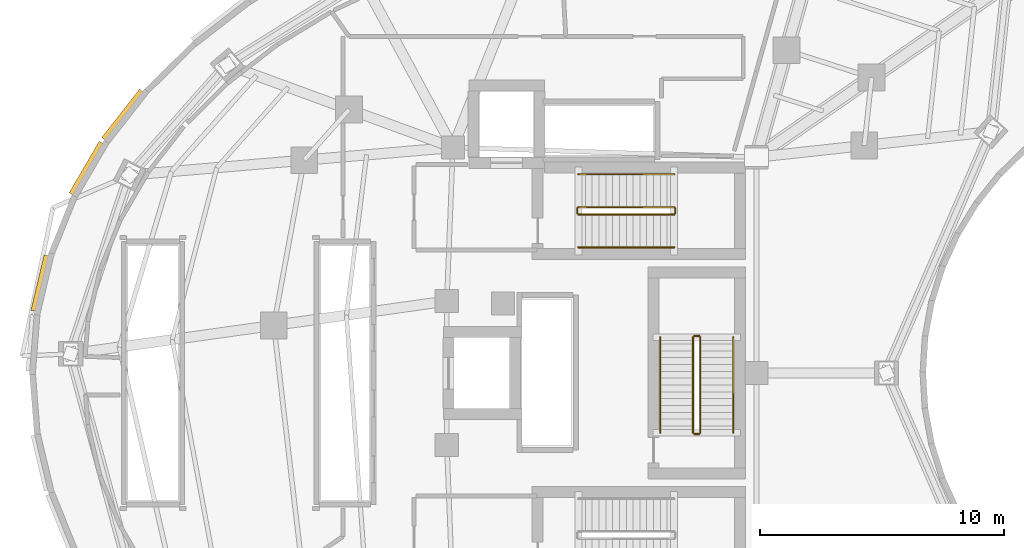
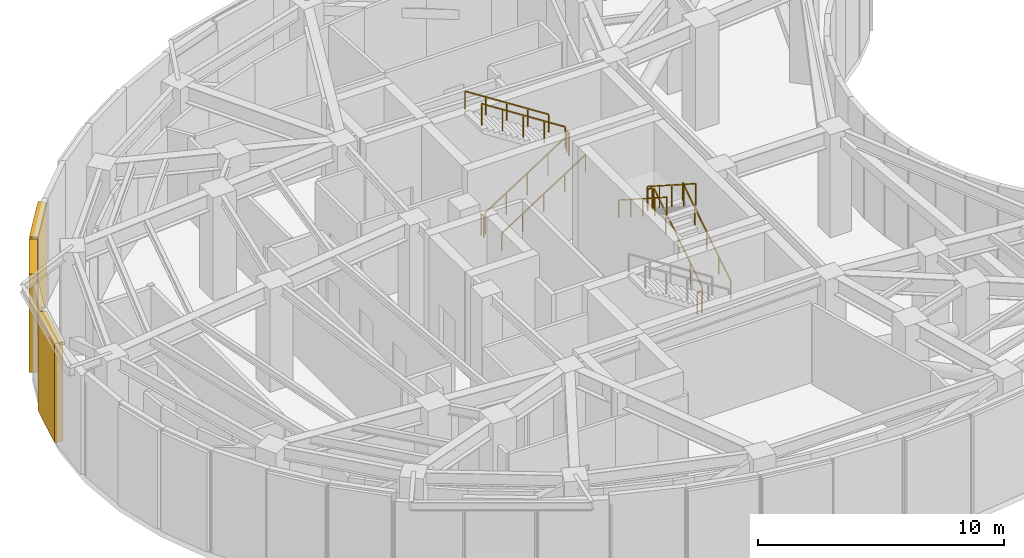
# One storey, part 9 of 10: 12 railings, 3 shading devices.
"""IFC4 building model written with IfcOpenShell, lengths in metres."""

from ifc_helpers import new_model, si_unit, direction, frame, origin, origin_2d, place, context, subcontext, project, spatial, rectangle, extrude, material, layer, layer_set, type_object, element, save


model = new_model("IFC4")

# Units and contexts
model_context = context("Model", 3, precision=1e-05, world=origin(), true_north=direction((0.0, 1.0)))
body_context = subcontext(model_context, "Body", "Model", "MODEL_VIEW")
ifc_project = project(units=[si_unit("LENGTHUNIT", "METRE"), si_unit("AREAUNIT", "SQUARE_METRE"), si_unit("VOLUMEUNIT", "CUBIC_METRE"), si_unit("PLANEANGLEUNIT", "RADIAN"), si_unit("MASSUNIT", "GRAM", prefix="KILO")], contexts=[model_context])

# Site, building, storey
site_placement = place(None, origin())
site = spatial("IfcSite", under=ifc_project, at=site_placement, CompositionType="ELEMENT")
building_placement = place(site_placement, origin())
building = spatial("IfcBuilding", under=site, at=building_placement, Name="Korentha Bioscience Tower", CompositionType="ELEMENT")
storey_placement = place(building_placement, frame((0.0, 0.0, 148.800048828125)))
storey = spatial("IfcBuildingStorey", under=building, at=storey_placement, Name="L34", CompositionType="ELEMENT", Elevation=148.800048828125)

# Shading devices
ifc_material_1 = material(Name="Powder-Coated Aluminium Louvre", Category="aluminium")
ifc_layer = layer(ifc_material_1, 0.1201171875, Name="Powder-Coated Aluminium Louvre")
ifc_layer_set = layer_set([ifc_layer], Name="Powder-Coated Aluminium Louvre (LV-350)")
shading_device_type = type_object("IfcShadingDeviceType", Name="Acoustic Weatherproof Aluminium Plant Louvre 350", PredefinedType="USERDEFINED", material=ifc_layer_set)
shading_device_1_placement = place(storey_placement, frame((11.6083984375, 37.543212890625, 0.10009765625), z_axis=(0.0, 0.0, 1.0), x_axis=(-0.615896321868, -0.787827215009, 0.0)))
element("IfcShadingDevice", 1, at=shading_device_1_placement, inside=storey, type_object=shading_device_type, Name="L34 Acoustic Plant Louvre 14", ObjectType="LOUVRE", PredefinedType="USERDEFINED", context=body_context, shape_type="SweptSolid", body=[
    extrude(rectangle(XDim=2.524169921875, YDim=0.35009765625, at=origin_2d()), origin(), (0.0, 0.0, 1.0), 4.89990234375),
])
shading_device_2_placement = place(storey_placement, frame((10.127685546875, 35.3623046875, 0.10009765625), z_axis=(0.0, 0.0, 1.0), x_axis=(-0.503181296595, -0.864180873867, 0.0)))
element("IfcShadingDevice", 2, at=shading_device_2_placement, inside=storey, type_object=shading_device_type, Name="L34 Acoustic Plant Louvre 15", ObjectType="LOUVRE", PredefinedType="USERDEFINED", context=body_context, shape_type="SweptSolid", body=[
    extrude(rectangle(XDim=2.44580078125, YDim=0.35009765625, at=origin_2d()), origin(), (0.0, 0.0, 1.0), 4.89990234375),
])
shading_device_3_placement = place(storey_placement, frame((8.236083984375, 30.671630859375, 0.10009765625), z_axis=(0.0, 0.0, 1.0), x_axis=(-0.2308309781, -0.972993864086, 0.0)))
element("IfcShadingDevice", 3, at=shading_device_3_placement, inside=storey, type_object=shading_device_type, Name="L34 Acoustic Plant Louvre 17", ObjectType="LOUVRE", PredefinedType="USERDEFINED", context=body_context, shape_type="SweptSolid", body=[
    extrude(rectangle(XDim=2.33447265625, YDim=0.35009765625, at=origin_2d()), origin(), (0.0, 0.0, 1.0), 4.89990234375),
])

# Railings
ifc_material_2 = material(Name="Stainless Steel 304", Category="steel")
railing_type_1 = type_object("IfcRailingType", Name="Brushed Stainless Stair Handrail 900", PredefinedType="HANDRAIL", material=ifc_material_2)
railing_1_placement = place(storey_placement, frame((30.25, 32.14990234375, 0.179931640625)))
element("IfcRailing", 4, at=railing_1_placement, inside=storey, type_object=railing_type_1, Name="L34 ST-1 stair handrail 1", PredefinedType="HANDRAIL", context=body_context, shape_type="SweptSolid", body=[
    extrude(rectangle(XDim=0.048095703125, YDim=0.048095703125, at=origin_2d()), frame((0.0, 0.0, 0.8759765625), z_axis=(0.841171666519, 0.0, 0.540768182723), x_axis=(0.0, 1.0, 0.0)), (0.0, 0.0, 1.0), 4.66015625),
    extrude(rectangle(XDim=0.0419921875, YDim=0.0419921875, at=origin_2d()), origin(), (0.0, 0.0, 1.0), 0.851806640625),
    extrude(rectangle(XDim=0.0419921875, YDim=0.0419921875, at=origin_2d()), frame((0.97998046875, 0.0, 0.6298828125)), (0.0, 0.0, 1.0), 0.851806640625),
    extrude(rectangle(XDim=0.0419921875, YDim=0.0419921875, at=origin_2d()), frame((1.9599609375, 0.0, 1.260009765625)), (0.0, 0.0, 1.0), 0.851806640625),
    extrude(rectangle(XDim=0.0419921875, YDim=0.0419921875, at=origin_2d()), frame((2.93994140625, 0.0, 1.89013671875)), (0.0, 0.0, 1.0), 0.851806640625),
    extrude(rectangle(XDim=0.0419921875, YDim=0.0419921875, at=origin_2d()), frame((3.919921875, 0.0, 2.52001953125)), (0.0, 0.0, 1.0), 0.851806640625),
])
railing_2_placement = place(storey_placement, frame((34.169921875, 35.14990234375, 2.8798828125)))
element("IfcRailing", 5, at=railing_2_placement, inside=storey, type_object=railing_type_1, Name="L34 ST-1 stair handrail 2", PredefinedType="HANDRAIL", context=body_context, shape_type="SweptSolid", body=[
    extrude(rectangle(XDim=0.048095703125, YDim=0.048095703125, at=origin_2d()), frame((0.0, 0.0, 0.8759765625), z_axis=(-0.841171666519, 0.0, 0.540768182723), x_axis=(0.0, -1.0, 0.0)), (0.0, 0.0, 1.0), 4.66015625),
    extrude(rectangle(XDim=0.0419921875, YDim=0.0419921875, at=origin_2d()), origin(), (0.0, 0.0, 1.0), 0.851806640625),
    extrude(rectangle(XDim=0.0419921875, YDim=0.0419921875, at=origin_2d()), frame((-0.97998046875, 0.0, 0.6298828125)), (0.0, 0.0, 1.0), 0.851806640625),
    extrude(rectangle(XDim=0.0419921875, YDim=0.0419921875, at=origin_2d()), frame((-1.9599609375, 0.0, 1.260009765625)), (0.0, 0.0, 1.0), 0.851806640625),
    extrude(rectangle(XDim=0.0419921875, YDim=0.0419921875, at=origin_2d()), frame((-2.93994140625, 0.0, 1.89013671875)), (0.0, 0.0, 1.0), 0.851806640625),
    extrude(rectangle(XDim=0.0419921875, YDim=0.0419921875, at=origin_2d()), frame((-3.919921875, 0.0, 2.52001953125)), (0.0, 0.0, 1.0), 0.851806640625),
])
railing_3_placement = place(storey_placement, frame((36.60009765625, 24.550048828125, 0.179931640625)))
element("IfcRailing", 6, at=railing_3_placement, inside=storey, type_object=railing_type_1, Name="L34 ST-3 stair handrail 1", PredefinedType="HANDRAIL", context=body_context, shape_type="SweptSolid", body=[
    extrude(rectangle(XDim=0.048095703125, YDim=0.048095703125, at=origin_2d()), frame((0.0, 0.0, 0.8759765625), z_axis=(0.0, 0.841171666519, 0.540768182723), x_axis=(-1.0, 0.0, 0.0)), (0.0, 0.0, 1.0), 4.66015625),
    extrude(rectangle(XDim=0.0419921875, YDim=0.0419921875, at=origin_2d()), origin(), (0.0, 0.0, 1.0), 0.851806640625),
    extrude(rectangle(XDim=0.0419921875, YDim=0.0419921875, at=origin_2d()), frame((0.0, 0.97998046875, 0.6298828125)), (0.0, 0.0, 1.0), 0.851806640625),
    extrude(rectangle(XDim=0.0419921875, YDim=0.0419921875, at=origin_2d()), frame((0.0, 1.9599609375, 1.260009765625)), (0.0, 0.0, 1.0), 0.851806640625),
    extrude(rectangle(XDim=0.0419921875, YDim=0.0419921875, at=origin_2d()), frame((0.0, 2.93994140625, 1.89013671875)), (0.0, 0.0, 1.0), 0.851806640625),
    extrude(rectangle(XDim=0.0419921875, YDim=0.0419921875, at=origin_2d()), frame((0.0, 3.919921875, 2.52001953125)), (0.0, 0.0, 1.0), 0.851806640625),
])
railing_4_placement = place(storey_placement, frame((33.60009765625, 28.469970703125, 2.8798828125)))
element("IfcRailing", 7, at=railing_4_placement, inside=storey, type_object=railing_type_1, Name="L34 ST-3 stair handrail 2", PredefinedType="HANDRAIL", context=body_context, shape_type="SweptSolid", body=[
    extrude(rectangle(XDim=0.048095703125, YDim=0.048095703125, at=origin_2d()), frame((0.0, 0.0, 0.8759765625), z_axis=(0.0, -0.841171666519, 0.540768182723), x_axis=(1.0, 0.0, 0.0)), (0.0, 0.0, 1.0), 4.66015625),
    extrude(rectangle(XDim=0.0419921875, YDim=0.0419921875, at=origin_2d()), origin(), (0.0, 0.0, 1.0), 0.851806640625),
    extrude(rectangle(XDim=0.0419921875, YDim=0.0419921875, at=origin_2d()), frame((0.0, -0.97998046875, 0.6298828125)), (0.0, 0.0, 1.0), 0.851806640625),
    extrude(rectangle(XDim=0.0419921875, YDim=0.0419921875, at=origin_2d()), frame((0.0, -1.9599609375, 1.260009765625)), (0.0, 0.0, 1.0), 0.851806640625),
    extrude(rectangle(XDim=0.0419921875, YDim=0.0419921875, at=origin_2d()), frame((0.0, -2.93994140625, 1.89013671875)), (0.0, 0.0, 1.0), 0.851806640625),
    extrude(rectangle(XDim=0.0419921875, YDim=0.0419921875, at=origin_2d()), frame((0.0, -3.919921875, 2.52001953125)), (0.0, 0.0, 1.0), 0.851806640625),
])
ifc_material_3 = material(Name="Painted Steel S275", Category="steel")
railing_type_2 = type_object("IfcRailingType", Name="Painted Steel Stair Well Guardrail 1100", PredefinedType="GUARDRAIL", material=ifc_material_3)
railing_5_placement = place(storey_placement, frame((30.25, 33.5, 0.179931640625)))
element("IfcRailing", 8, at=railing_5_placement, inside=storey, type_object=railing_type_2, Name="L34 ST-1 stair guard 1", PredefinedType="GUARDRAIL", context=body_context, shape_type="SweptSolid", body=[
    extrude(rectangle(XDim=0.048095703125, YDim=0.048095703125, at=origin_2d()), frame((0.0, 0.0, 1.076171875), z_axis=(0.841171666519, 0.0, 0.540768182723), x_axis=(0.0, 1.0, 0.0)), (0.0, 0.0, 1.0), 4.66015625),
    extrude(rectangle(XDim=0.0419921875, YDim=0.0419921875, at=origin_2d()), origin(), (0.0, 0.0, 1.0), 1.052001953125),
    extrude(rectangle(XDim=0.0419921875, YDim=0.0419921875, at=origin_2d()), frame((0.97998046875, 0.0, 0.6298828125)), (0.0, 0.0, 1.0), 1.052001953125),
    extrude(rectangle(XDim=0.0419921875, YDim=0.0419921875, at=origin_2d()), frame((1.9599609375, 0.0, 1.260009765625)), (0.0, 0.0, 1.0), 1.052001953125),
    extrude(rectangle(XDim=0.0419921875, YDim=0.0419921875, at=origin_2d()), frame((2.93994140625, 0.0, 1.89013671875)), (0.0, 0.0, 1.0), 1.052001953125),
    extrude(rectangle(XDim=0.0419921875, YDim=0.0419921875, at=origin_2d()), frame((3.919921875, 0.0, 2.52001953125)), (0.0, 0.0, 1.0), 1.052001953125),
])
railing_6_placement = place(storey_placement, frame((34.219970703125, 33.550048828125, 2.699951171875)))
element("IfcRailing", 9, at=railing_6_placement, inside=storey, type_object=railing_type_2, Name="L34 ST-1 stair guard 2", PredefinedType="GUARDRAIL", context=body_context, shape_type="SweptSolid", body=[
    extrude(rectangle(XDim=0.048095703125, YDim=0.048095703125, at=origin_2d()), frame((0.0, 0.0, 1.076171875), z_axis=(0.0, 1.0, 0.0), x_axis=(-1.0, 0.0, 0.0)), (0.0, 0.0, 1.0), 0.199951171875),
    extrude(rectangle(XDim=0.0419921875, YDim=0.0419921875, at=origin_2d()), origin(), (0.0, 0.0, 1.0), 1.052001953125),
    extrude(rectangle(XDim=0.0419921875, YDim=0.0419921875, at=origin_2d()), frame((0.0, 0.199951171875, 0.0)), (0.0, 0.0, 1.0), 1.052001953125),
])
railing_7_placement = place(storey_placement, frame((34.169921875, 33.800048828125, 2.8798828125)))
element("IfcRailing", 10, at=railing_7_placement, inside=storey, type_object=railing_type_2, Name="L34 ST-1 stair guard 3", PredefinedType="GUARDRAIL", context=body_context, shape_type="SweptSolid", body=[
    extrude(rectangle(XDim=0.048095703125, YDim=0.048095703125, at=origin_2d()), frame((0.0, 0.0, 1.076171875), z_axis=(-0.841171666519, 0.0, 0.540768182723), x_axis=(0.0, -1.0, 0.0)), (0.0, 0.0, 1.0), 4.66015625),
    extrude(rectangle(XDim=0.0419921875, YDim=0.0419921875, at=origin_2d()), origin(), (0.0, 0.0, 1.0), 1.052001953125),
    extrude(rectangle(XDim=0.0419921875, YDim=0.0419921875, at=origin_2d()), frame((-0.97998046875, 0.0, 0.6298828125)), (0.0, 0.0, 1.0), 1.052001953125),
    extrude(rectangle(XDim=0.0419921875, YDim=0.0419921875, at=origin_2d()), frame((-1.9599609375, 0.0, 1.260009765625)), (0.0, 0.0, 1.0), 1.052001953125),
    extrude(rectangle(XDim=0.0419921875, YDim=0.0419921875, at=origin_2d()), frame((-2.93994140625, 0.0, 1.89013671875)), (0.0, 0.0, 1.0), 1.052001953125),
    extrude(rectangle(XDim=0.0419921875, YDim=0.0419921875, at=origin_2d()), frame((-3.919921875, 0.0, 2.52001953125)), (0.0, 0.0, 1.0), 1.052001953125),
])
railing_8_placement = place(storey_placement, frame((30.199951171875, 33.550048828125, 0.0)))
element("IfcRailing", 11, at=railing_8_placement, inside=storey, type_object=railing_type_2, Name="L34 ST-1 stair guard 4", PredefinedType="GUARDRAIL", context=body_context, shape_type="SweptSolid", body=[
    extrude(rectangle(XDim=0.048095703125, YDim=0.048095703125, at=origin_2d()), frame((0.0, 0.0, 1.076171875), z_axis=(0.0, 1.0, 0.0), x_axis=(-1.0, 0.0, 0.0)), (0.0, 0.0, 1.0), 0.199951171875),
    extrude(rectangle(XDim=0.0419921875, YDim=0.0419921875, at=origin_2d()), origin(), (0.0, 0.0, 1.0), 1.052001953125),
    extrude(rectangle(XDim=0.0419921875, YDim=0.0419921875, at=origin_2d()), frame((0.0, 0.199951171875, 0.0)), (0.0, 0.0, 1.0), 1.052001953125),
])
railing_9_placement = place(storey_placement, frame((35.25, 24.550048828125, 0.179931640625)))
element("IfcRailing", 12, at=railing_9_placement, inside=storey, type_object=railing_type_2, Name="L34 ST-3 stair guard 1", PredefinedType="GUARDRAIL", context=body_context, shape_type="SweptSolid", body=[
    extrude(rectangle(XDim=0.048095703125, YDim=0.048095703125, at=origin_2d()), frame((0.0, 0.0, 1.076171875), z_axis=(0.0, 0.841171666519, 0.540768182723), x_axis=(-1.0, 0.0, 0.0)), (0.0, 0.0, 1.0), 4.66015625),
    extrude(rectangle(XDim=0.0419921875, YDim=0.0419921875, at=origin_2d()), origin(), (0.0, 0.0, 1.0), 1.052001953125),
    extrude(rectangle(XDim=0.0419921875, YDim=0.0419921875, at=origin_2d()), frame((0.0, 0.97998046875, 0.6298828125)), (0.0, 0.0, 1.0), 1.052001953125),
    extrude(rectangle(XDim=0.0419921875, YDim=0.0419921875, at=origin_2d()), frame((0.0, 1.9599609375, 1.260009765625)), (0.0, 0.0, 1.0), 1.052001953125),
    extrude(rectangle(XDim=0.0419921875, YDim=0.0419921875, at=origin_2d()), frame((0.0, 2.93994140625, 1.89013671875)), (0.0, 0.0, 1.0), 1.052001953125),
    extrude(rectangle(XDim=0.0419921875, YDim=0.0419921875, at=origin_2d()), frame((0.0, 3.919921875, 2.52001953125)), (0.0, 0.0, 1.0), 1.052001953125),
])
railing_10_placement = place(storey_placement, frame((35.199951171875, 28.52001953125, 2.699951171875)))
element("IfcRailing", 13, at=railing_10_placement, inside=storey, type_object=railing_type_2, Name="L34 ST-3 stair guard 2", PredefinedType="GUARDRAIL", context=body_context, shape_type="SweptSolid", body=[
    extrude(rectangle(XDim=0.048095703125, YDim=0.048095703125, at=origin_2d()), frame((0.0, 0.0, 1.076171875), z_axis=(-1.0, 0.0, 0.0), x_axis=(0.0, -1.0, 0.0)), (0.0, 0.0, 1.0), 0.199951171875),
    extrude(rectangle(XDim=0.0419921875, YDim=0.0419921875, at=origin_2d()), origin(), (0.0, 0.0, 1.0), 1.052001953125),
    extrude(rectangle(XDim=0.0419921875, YDim=0.0419921875, at=origin_2d()), frame((-0.199951171875, 0.0, 0.0)), (0.0, 0.0, 1.0), 1.052001953125),
])
railing_11_placement = place(storey_placement, frame((34.949951171875, 28.469970703125, 2.8798828125)))
element("IfcRailing", 14, at=railing_11_placement, inside=storey, type_object=railing_type_2, Name="L34 ST-3 stair guard 3", PredefinedType="GUARDRAIL", context=body_context, shape_type="SweptSolid", body=[
    extrude(rectangle(XDim=0.048095703125, YDim=0.048095703125, at=origin_2d()), frame((0.0, 0.0, 1.076171875), z_axis=(0.0, -0.841171666519, 0.540768182723), x_axis=(1.0, 0.0, 0.0)), (0.0, 0.0, 1.0), 4.66015625),
    extrude(rectangle(XDim=0.0419921875, YDim=0.0419921875, at=origin_2d()), origin(), (0.0, 0.0, 1.0), 1.052001953125),
    extrude(rectangle(XDim=0.0419921875, YDim=0.0419921875, at=origin_2d()), frame((0.0, -0.97998046875, 0.6298828125)), (0.0, 0.0, 1.0), 1.052001953125),
    extrude(rectangle(XDim=0.0419921875, YDim=0.0419921875, at=origin_2d()), frame((0.0, -1.9599609375, 1.260009765625)), (0.0, 0.0, 1.0), 1.052001953125),
    extrude(rectangle(XDim=0.0419921875, YDim=0.0419921875, at=origin_2d()), frame((0.0, -2.93994140625, 1.89013671875)), (0.0, 0.0, 1.0), 1.052001953125),
    extrude(rectangle(XDim=0.0419921875, YDim=0.0419921875, at=origin_2d()), frame((0.0, -3.919921875, 2.52001953125)), (0.0, 0.0, 1.0), 1.052001953125),
])
railing_12_placement = place(storey_placement, frame((35.199951171875, 24.5, 0.0)))
element("IfcRailing", 15, at=railing_12_placement, inside=storey, type_object=railing_type_2, Name="L34 ST-3 stair guard 4", PredefinedType="GUARDRAIL", context=body_context, shape_type="SweptSolid", body=[
    extrude(rectangle(XDim=0.048095703125, YDim=0.048095703125, at=origin_2d()), frame((0.0, 0.0, 1.076171875), z_axis=(-1.0, 0.0, 0.0), x_axis=(0.0, -1.0, 0.0)), (0.0, 0.0, 1.0), 0.199951171875),
    extrude(rectangle(XDim=0.0419921875, YDim=0.0419921875, at=origin_2d()), origin(), (0.0, 0.0, 1.0), 1.052001953125),
    extrude(rectangle(XDim=0.0419921875, YDim=0.0419921875, at=origin_2d()), frame((-0.199951171875, 0.0, 0.0)), (0.0, 0.0, 1.0), 1.052001953125),
])

save(model, "model.ifc")
